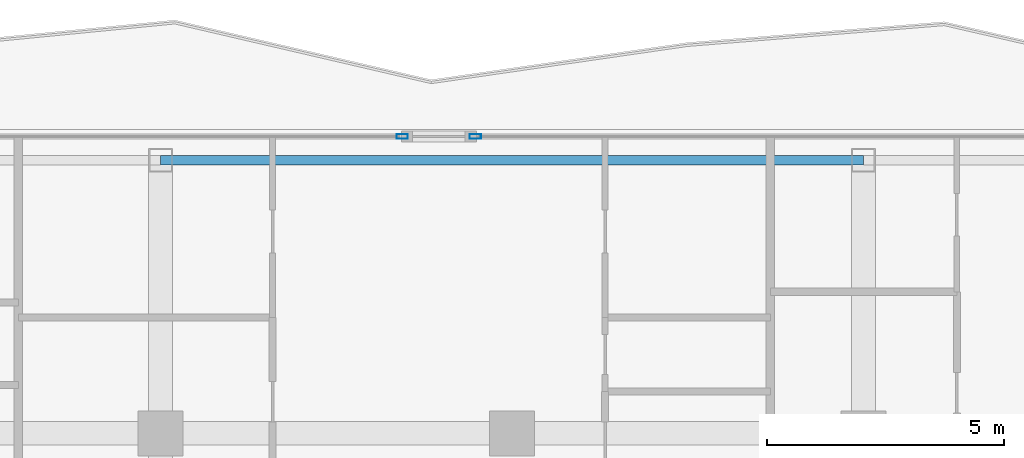
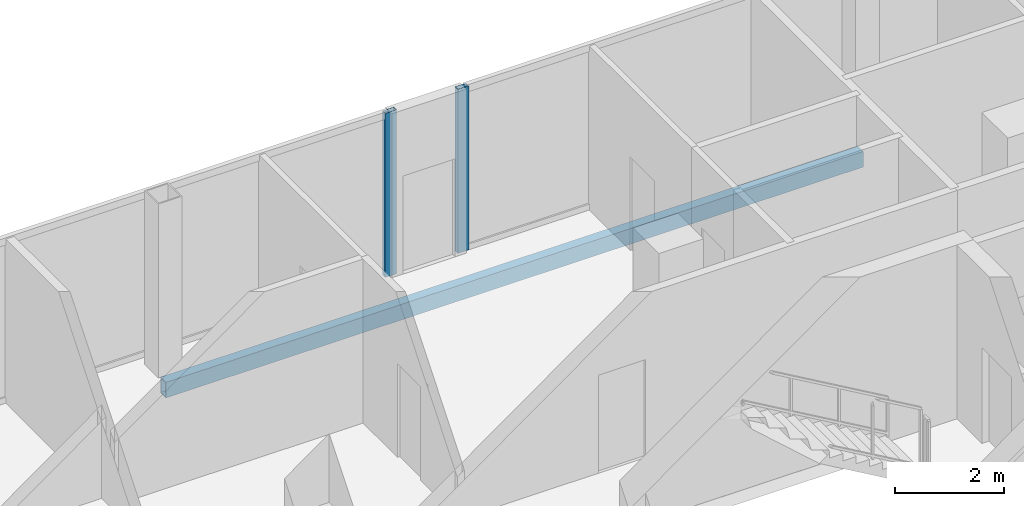
# One storey, part 13 of 24: 2 members, 1 beam, 2 elements without a shape of their own.
"""IFC4 building model written with IfcOpenShell, lengths in metres."""

from ifc_helpers import new_model, si_unit, direction, frame, origin, origin_2d, place, context, subcontext, project, spatial, hollow_rectangle, extrude, material, layer, layer_set, material_profile, profile_set, type_object, element, aggregate, save


model = new_model("IFC4")

# Units and contexts
model_context = context("Model", 3, precision=1e-05, world=origin(), true_north=direction((0.0, 1.0)))
body_context = subcontext(model_context, "Body", "Model", "MODEL_VIEW")
ifc_project = project(units=[si_unit("LENGTHUNIT", "METRE"), si_unit("AREAUNIT", "SQUARE_METRE"), si_unit("VOLUMEUNIT", "CUBIC_METRE"), si_unit("PLANEANGLEUNIT", "RADIAN"), si_unit("MASSUNIT", "GRAM", prefix="KILO")], contexts=[model_context])

# Site, building, storey
site_placement = place(None, origin())
site = spatial("IfcSite", under=ifc_project, at=site_placement, CompositionType="ELEMENT")
building_placement = place(site_placement, origin())
building = spatial("IfcBuilding", under=site, at=building_placement, Name="Khorvyn Point Tower", CompositionType="ELEMENT")
storey_placement = place(building_placement, frame((0.0, 0.0, 285.89990234375)))
storey = spatial("IfcBuildingStorey", under=building, at=storey_placement, Name="L70", CompositionType="ELEMENT", Elevation=285.89990234375)

# Curtain wall, member
ifc_material_1 = material(Name="Anodised aluminium 6063-T6 and laminated Low-E glass", Category="aluminium")
ifc_layer = layer(ifc_material_1, 0.18994140625)
ifc_layer_set = layer_set([ifc_layer], Name="Stick-Built High-Wind Curtain Wall CW-SYS-04")
curtain_wall_type = type_object("IfcCurtainWallType", Name="Stick-Built High-Wind Curtain Wall CW-SYS-04", PredefinedType="NOTDEFINED", material=ifc_layer_set)
curtain_wall_1_placement = place(storey_placement, origin())
curtain_wall_1 = element("IfcCurtainWall", 1, at=curtain_wall_1_placement, inside=storey, type_object=curtain_wall_type, Name="Curtain Wall", PredefinedType="NOTDEFINED")
ifc_material_2 = material(Name="Anodised aluminium 6063-T6", Category="aluminium")
ifc_material_profile_1 = material_profile(ifc_material_2, hollow_rectangle(XDim=0.10009765625, YDim=0.239990234375, WallThickness=0.0048828125, at=origin_2d()))
ifc_profile_set_1 = profile_set([ifc_material_profile_1], Name="Anodised aluminium 6063-T6 ALU-MUL-100x240")
member_type = type_object("IfcMemberType", Name="Anodised Aluminium 6063-T6 Mullion ALU-MUL-100x240", PredefinedType="MULLION", material=ifc_profile_set_1)
member_1_placement = place(storey_placement, frame((-2.31005859375, 21.050048828125, 0.0), z_axis=(0.0, 0.0, 1.0), x_axis=(0.0, 1.0, 0.0)))
member_1 = element("IfcMember", 2, at=member_1_placement, type_object=member_type, Name="Transom", PredefinedType="MULLION", context=body_context, shape_type="SweptSolid", body=[
    extrude(hollow_rectangle(XDim=0.10009765625, YDim=0.239990234375, WallThickness=0.0048828125, at=origin_2d()), origin(), (0.0, 0.0, 1.0), 3.68017578125),
])
aggregate(curtain_wall_1, [member_1])

curtain_wall_2_placement = place(storey_placement, origin())
curtain_wall_2 = element("IfcCurtainWall", 3, at=curtain_wall_2_placement, inside=storey, type_object=curtain_wall_type, Name="Curtain Wall", PredefinedType="NOTDEFINED")
member_2_placement = place(storey_placement, frame((-0.77001953125, 21.050048828125, 0.0), z_axis=(0.0, 0.0, 1.0), x_axis=(0.0, 1.0, 0.0)))
member_2 = element("IfcMember", 4, at=member_2_placement, type_object=member_type, Name="Transom", PredefinedType="MULLION", context=body_context, shape_type="SweptSolid", body=[
    extrude(hollow_rectangle(XDim=0.10009765625, YDim=0.239990234375, WallThickness=0.0048828125, at=origin_2d()), origin(), (0.0, 0.0, 1.0), 3.68017578125),
])
aggregate(curtain_wall_2, [member_2])

# Beam
ifc_material_3 = material(Name="Steel S355", Category="steel")
ifc_material_profile_2 = material_profile(ifc_material_3, hollow_rectangle(XDim=0.199951171875, YDim=0.35009765625, WallThickness=0.013916015625, at=origin_2d()))
ifc_profile_set_2 = profile_set([ifc_material_profile_2], Name="Steel S355 RHS350x200x14")
beam_type = type_object("IfcBeamType", Name="Steel S355 Spandrel RHS350x200x14", PredefinedType="SPANDREL", material=ifc_profile_set_2)
beam_placement = place(storey_placement, frame((-7.39990234375, 20.550048828125, -0.454833984375), z_axis=(1.0, 0.0, 0.0), x_axis=(0.0, 1.0, 0.0)))
element("IfcBeam", 5, at=beam_placement, inside=storey, type_object=beam_type, Name="Beam", PredefinedType="SPANDREL", context=body_context, shape_type="SweptSolid", body=[
    extrude(hollow_rectangle(XDim=0.199951171875, YDim=0.35009765625, WallThickness=0.013916015625, at=origin_2d()), origin(), (0.0, 0.0, 1.0), 14.7998046875),
])

save(model, "model.ifc")
